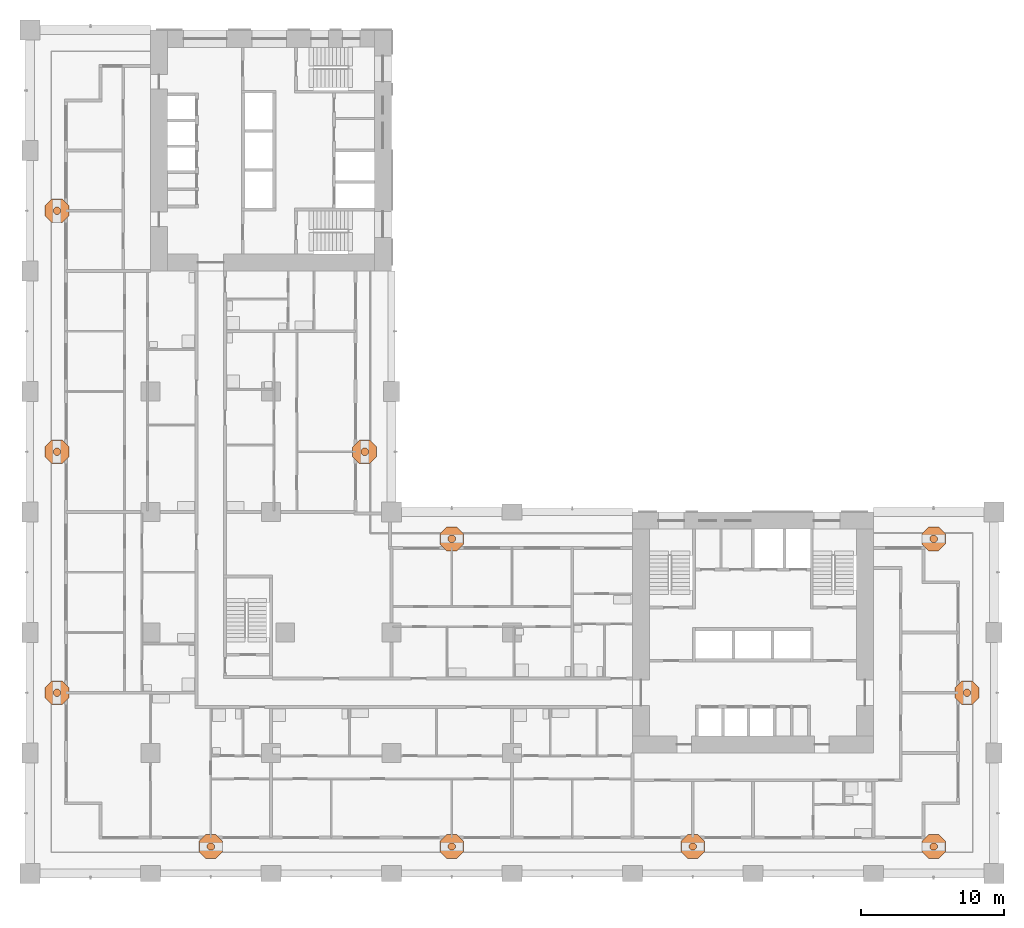
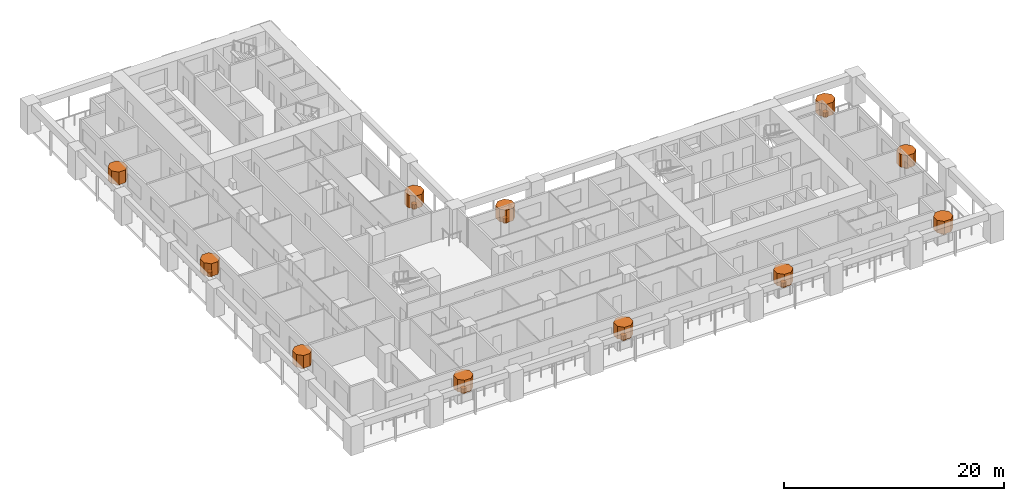
# One storey, part 20 of 20: 22 geographic elements.
"""IFC4 building model written with IfcOpenShell, lengths in metres."""

from ifc_helpers import new_model, si_unit, direction, frame, origin, place, context, subcontext, project, spatial, polyline, outline, extrude, material, element, save


model = new_model("IFC4")

# Units and contexts
model_context = context("Model", 3, precision=1e-05, world=origin(), true_north=direction((0.0, 1.0)))
body_context = subcontext(model_context, "Body", "Model", "MODEL_VIEW")
ifc_project = project(units=[si_unit("LENGTHUNIT", "METRE"), si_unit("AREAUNIT", "SQUARE_METRE"), si_unit("VOLUMEUNIT", "CUBIC_METRE"), si_unit("PLANEANGLEUNIT", "RADIAN"), si_unit("MASSUNIT", "GRAM", prefix="KILO")], contexts=[model_context])

# Site, building, storey
site_placement = place(None, origin())
site = spatial("IfcSite", under=ifc_project, at=site_placement, CompositionType="ELEMENT")
building_placement = place(site_placement, origin())
building = spatial("IfcBuilding", under=site, at=building_placement, Name="Vermilion Gate Residences", CompositionType="ELEMENT")
storey_placement = place(building_placement, frame((0.0, 0.0, 39.199951171875)))
storey = spatial("IfcBuildingStorey", under=building, at=storey_placement, Name="L08", CompositionType="ELEMENT", Elevation=39.199951171875)

# Geographic elements
ifc_material = material(Name="Foliage")
geographic_element_1_placement = place(storey_placement, frame((0.0, 0.0, 0.900146484375)))
element("IfcGeographicElement", 1, at=geographic_element_1_placement, inside=storey, material=ifc_material, Name="Tree (maple)", ObjectType="TREE", PredefinedType="USERDEFINED", context=body_context, shape_type="SweptSolid", body=[
    extrude(outline(polyline([(12.85400390625, 1.980224609375), (12.705078125, 2.129150390625), (12.494873046875, 2.129150390625), (12.345947265625, 1.980224609375), (12.345947265625, 1.769775390625), (12.494873046875, 1.620849609375), (12.705078125, 1.620849609375), (12.85400390625, 1.769775390625), (12.85400390625, 1.980224609375)])), origin(), (0.0, 0.0, 1.0), 0.52001953125),
])
geographic_element_2_placement = place(storey_placement, frame((0.0, 0.0, 1.420166015625)))
element("IfcGeographicElement", 2, at=geographic_element_2_placement, inside=storey, material=ifc_material, Name="Tree crown (maple)", ObjectType="TREE", PredefinedType="USERDEFINED", context=body_context, shape_type="SweptSolid", body=[
    extrude(outline(polyline([(13.431396484375, 2.219482421875), (12.9443359375, 2.70654296875), (12.255615234375, 2.70654296875), (11.7685546875, 2.219482421875), (11.7685546875, 1.530517578125), (12.255615234375, 1.04345703125), (12.9443359375, 1.04345703125), (13.431396484375, 1.530517578125), (13.431396484375, 2.219482421875)])), origin(), (0.0, 0.0, 1.0), 1.39990234375),
])
geographic_element_3_placement = place(storey_placement, frame((0.0, 0.0, 0.900146484375)))
element("IfcGeographicElement", 3, at=geographic_element_3_placement, inside=storey, material=ifc_material, Name="Tree (black pine)", ObjectType="TREE", PredefinedType="USERDEFINED", context=body_context, shape_type="SweptSolid", body=[
    extrude(outline(polyline([(29.654052734375, 1.980224609375), (29.505126953125, 2.129150390625), (29.294921875, 2.129150390625), (29.14599609375, 1.980224609375), (29.14599609375, 1.769775390625), (29.294921875, 1.620849609375), (29.505126953125, 1.620849609375), (29.654052734375, 1.769775390625), (29.654052734375, 1.980224609375)])), origin(), (0.0, 0.0, 1.0), 0.52001953125),
])
geographic_element_4_placement = place(storey_placement, frame((0.0, 0.0, 1.420166015625)))
element("IfcGeographicElement", 4, at=geographic_element_4_placement, inside=storey, material=ifc_material, Name="Tree crown (black pine)", ObjectType="TREE", PredefinedType="USERDEFINED", context=body_context, shape_type="SweptSolid", body=[
    extrude(outline(polyline([(30.2314453125, 2.219482421875), (29.744384765625, 2.70654296875), (29.0556640625, 2.70654296875), (28.568603515625, 2.219482421875), (28.568603515625, 1.530517578125), (29.0556640625, 1.04345703125), (29.744384765625, 1.04345703125), (30.2314453125, 1.530517578125), (30.2314453125, 2.219482421875)])), origin(), (0.0, 0.0, 1.0), 1.39990234375),
])
geographic_element_5_placement = place(storey_placement, frame((0.0, 0.0, 0.900146484375)))
element("IfcGeographicElement", 5, at=geographic_element_5_placement, inside=storey, material=ifc_material, Name="Tree (maple)", ObjectType="TREE", PredefinedType="USERDEFINED", context=body_context, shape_type="SweptSolid", body=[
    extrude(outline(polyline([(46.4541015625, 1.980224609375), (46.30517578125, 2.129150390625), (46.0947265625, 2.129150390625), (45.94580078125, 1.980224609375), (45.94580078125, 1.769775390625), (46.0947265625, 1.620849609375), (46.30517578125, 1.620849609375), (46.4541015625, 1.769775390625), (46.4541015625, 1.980224609375)])), origin(), (0.0, 0.0, 1.0), 0.52001953125),
])
geographic_element_6_placement = place(storey_placement, frame((0.0, 0.0, 1.420166015625)))
element("IfcGeographicElement", 6, at=geographic_element_6_placement, inside=storey, material=ifc_material, Name="Tree crown (maple)", ObjectType="TREE", PredefinedType="USERDEFINED", context=body_context, shape_type="SweptSolid", body=[
    extrude(outline(polyline([(47.031494140625, 2.219482421875), (46.54443359375, 2.70654296875), (45.855712890625, 2.70654296875), (45.368408203125, 2.219482421875), (45.368408203125, 1.530517578125), (45.855712890625, 1.04345703125), (46.54443359375, 1.04345703125), (47.031494140625, 1.530517578125), (47.031494140625, 2.219482421875)])), origin(), (0.0, 0.0, 1.0), 1.39990234375),
])
geographic_element_7_placement = place(storey_placement, frame((0.0, 0.0, 0.900146484375)))
element("IfcGeographicElement", 7, at=geographic_element_7_placement, inside=storey, material=ifc_material, Name="Tree (black pine)", ObjectType="TREE", PredefinedType="USERDEFINED", context=body_context, shape_type="SweptSolid", body=[
    extrude(outline(polyline([(63.254150390625, 1.980224609375), (63.105224609375, 2.129150390625), (62.894775390625, 2.129150390625), (62.745849609375, 1.980224609375), (62.745849609375, 1.769775390625), (62.894775390625, 1.620849609375), (63.105224609375, 1.620849609375), (63.254150390625, 1.769775390625), (63.254150390625, 1.980224609375)])), origin(), (0.0, 0.0, 1.0), 0.52001953125),
])
geographic_element_8_placement = place(storey_placement, frame((0.0, 0.0, 1.420166015625)))
element("IfcGeographicElement", 8, at=geographic_element_8_placement, inside=storey, material=ifc_material, Name="Tree crown (black pine)", ObjectType="TREE", PredefinedType="USERDEFINED", context=body_context, shape_type="SweptSolid", body=[
    extrude(outline(polyline([(63.83154296875, 2.219482421875), (63.344482421875, 2.70654296875), (62.655517578125, 2.70654296875), (62.16845703125, 2.219482421875), (62.16845703125, 1.530517578125), (62.655517578125, 1.04345703125), (63.344482421875, 1.04345703125), (63.83154296875, 1.530517578125), (63.83154296875, 2.219482421875)])), origin(), (0.0, 0.0, 1.0), 1.39990234375),
])
geographic_element_9_placement = place(storey_placement, frame((0.0, 0.0, 0.900146484375)))
element("IfcGeographicElement", 9, at=geographic_element_9_placement, inside=storey, material=ifc_material, Name="Tree (maple)", ObjectType="TREE", PredefinedType="USERDEFINED", context=body_context, shape_type="SweptSolid", body=[
    extrude(outline(polyline([(65.5791015625, 12.705078125), (65.43017578125, 12.85400390625), (65.2197265625, 12.85400390625), (65.07080078125, 12.705078125), (65.07080078125, 12.494873046875), (65.2197265625, 12.345947265625), (65.43017578125, 12.345947265625), (65.5791015625, 12.494873046875), (65.5791015625, 12.705078125)])), origin(), (0.0, 0.0, 1.0), 0.52001953125),
])
geographic_element_10_placement = place(storey_placement, frame((0.0, 0.0, 1.420166015625)))
element("IfcGeographicElement", 10, at=geographic_element_10_placement, inside=storey, material=ifc_material, Name="Tree crown (maple)", ObjectType="TREE", PredefinedType="USERDEFINED", context=body_context, shape_type="SweptSolid", body=[
    extrude(outline(polyline([(66.156494140625, 12.9443359375), (65.66943359375, 13.431396484375), (64.980712890625, 13.431396484375), (64.493408203125, 12.9443359375), (64.493408203125, 12.255615234375), (64.980712890625, 11.7685546875), (65.66943359375, 11.7685546875), (66.156494140625, 12.255615234375), (66.156494140625, 12.9443359375)])), origin(), (0.0, 0.0, 1.0), 1.39990234375),
])
geographic_element_11_placement = place(storey_placement, frame((0.0, 0.0, 0.900146484375)))
element("IfcGeographicElement", 11, at=geographic_element_11_placement, inside=storey, material=ifc_material, Name="Tree (black pine)", ObjectType="TREE", PredefinedType="USERDEFINED", context=body_context, shape_type="SweptSolid", body=[
    extrude(outline(polyline([(29.654052734375, 23.43017578125), (29.505126953125, 23.5791015625), (29.294921875, 23.5791015625), (29.14599609375, 23.43017578125), (29.14599609375, 23.2197265625), (29.294921875, 23.07080078125), (29.505126953125, 23.07080078125), (29.654052734375, 23.2197265625), (29.654052734375, 23.43017578125)])), origin(), (0.0, 0.0, 1.0), 0.52001953125),
])
geographic_element_12_placement = place(storey_placement, frame((0.0, 0.0, 1.420166015625)))
element("IfcGeographicElement", 12, at=geographic_element_12_placement, inside=storey, material=ifc_material, Name="Tree crown (black pine)", ObjectType="TREE", PredefinedType="USERDEFINED", context=body_context, shape_type="SweptSolid", body=[
    extrude(outline(polyline([(30.2314453125, 23.66943359375), (29.744384765625, 24.156494140625), (29.0556640625, 24.156494140625), (28.568603515625, 23.66943359375), (28.568603515625, 22.980712890625), (29.0556640625, 22.493408203125), (29.744384765625, 22.493408203125), (30.2314453125, 22.980712890625), (30.2314453125, 23.66943359375)])), origin(), (0.0, 0.0, 1.0), 1.39990234375),
])
geographic_element_13_placement = place(storey_placement, frame((0.0, 0.0, 0.900146484375)))
element("IfcGeographicElement", 13, at=geographic_element_13_placement, inside=storey, material=ifc_material, Name="Tree (black pine)", ObjectType="TREE", PredefinedType="USERDEFINED", context=body_context, shape_type="SweptSolid", body=[
    extrude(outline(polyline([(63.254150390625, 23.43017578125), (63.105224609375, 23.5791015625), (62.894775390625, 23.5791015625), (62.745849609375, 23.43017578125), (62.745849609375, 23.2197265625), (62.894775390625, 23.07080078125), (63.105224609375, 23.07080078125), (63.254150390625, 23.2197265625), (63.254150390625, 23.43017578125)])), origin(), (0.0, 0.0, 1.0), 0.52001953125),
])
geographic_element_14_placement = place(storey_placement, frame((0.0, 0.0, 1.420166015625)))
element("IfcGeographicElement", 14, at=geographic_element_14_placement, inside=storey, material=ifc_material, Name="Tree crown (black pine)", ObjectType="TREE", PredefinedType="USERDEFINED", context=body_context, shape_type="SweptSolid", body=[
    extrude(outline(polyline([(63.83154296875, 23.66943359375), (63.344482421875, 24.156494140625), (62.655517578125, 24.156494140625), (62.16845703125, 23.66943359375), (62.16845703125, 22.980712890625), (62.655517578125, 22.493408203125), (63.344482421875, 22.493408203125), (63.83154296875, 22.980712890625), (63.83154296875, 23.66943359375)])), origin(), (0.0, 0.0, 1.0), 1.39990234375),
])
geographic_element_15_placement = place(storey_placement, frame((0.0, 0.0, 0.900146484375)))
element("IfcGeographicElement", 15, at=geographic_element_15_placement, inside=storey, material=ifc_material, Name="Tree (black pine)", ObjectType="TREE", PredefinedType="USERDEFINED", context=body_context, shape_type="SweptSolid", body=[
    extrude(outline(polyline([(23.5791015625, 29.505126953125), (23.43017578125, 29.654052734375), (23.2197265625, 29.654052734375), (23.07080078125, 29.505126953125), (23.07080078125, 29.294921875), (23.2197265625, 29.14599609375), (23.43017578125, 29.14599609375), (23.5791015625, 29.294921875), (23.5791015625, 29.505126953125)])), origin(), (0.0, 0.0, 1.0), 0.52001953125),
])
geographic_element_16_placement = place(storey_placement, frame((0.0, 0.0, 1.420166015625)))
element("IfcGeographicElement", 16, at=geographic_element_16_placement, inside=storey, material=ifc_material, Name="Tree crown (black pine)", ObjectType="TREE", PredefinedType="USERDEFINED", context=body_context, shape_type="SweptSolid", body=[
    extrude(outline(polyline([(24.156494140625, 29.744384765625), (23.66943359375, 30.2314453125), (22.980712890625, 30.2314453125), (22.493408203125, 29.744384765625), (22.493408203125, 29.0556640625), (22.980712890625, 28.568603515625), (23.66943359375, 28.568603515625), (24.156494140625, 29.0556640625), (24.156494140625, 29.744384765625)])), origin(), (0.0, 0.0, 1.0), 1.39990234375),
])
geographic_element_17_placement = place(storey_placement, frame((0.0, 0.0, 0.900146484375)))
element("IfcGeographicElement", 17, at=geographic_element_17_placement, inside=storey, material=ifc_material, Name="Tree (maple)", ObjectType="TREE", PredefinedType="USERDEFINED", context=body_context, shape_type="SweptSolid", body=[
    extrude(outline(polyline([(2.129150390625, 12.705078125), (1.980224609375, 12.85400390625), (1.769775390625, 12.85400390625), (1.620849609375, 12.705078125), (1.620849609375, 12.494873046875), (1.769775390625, 12.345947265625), (1.980224609375, 12.345947265625), (2.129150390625, 12.494873046875), (2.129150390625, 12.705078125)])), origin(), (0.0, 0.0, 1.0), 0.52001953125),
])
geographic_element_18_placement = place(storey_placement, frame((0.0, 0.0, 1.420166015625)))
element("IfcGeographicElement", 18, at=geographic_element_18_placement, inside=storey, material=ifc_material, Name="Tree crown (maple)", ObjectType="TREE", PredefinedType="USERDEFINED", context=body_context, shape_type="SweptSolid", body=[
    extrude(outline(polyline([(2.70654296875, 12.9443359375), (2.219482421875, 13.431396484375), (1.530517578125, 13.431396484375), (1.04345703125, 12.9443359375), (1.04345703125, 12.255615234375), (1.530517578125, 11.7685546875), (2.219482421875, 11.7685546875), (2.70654296875, 12.255615234375), (2.70654296875, 12.9443359375)])), origin(), (0.0, 0.0, 1.0), 1.39990234375),
])
geographic_element_19_placement = place(storey_placement, frame((0.0, 0.0, 0.900146484375)))
element("IfcGeographicElement", 19, at=geographic_element_19_placement, inside=storey, material=ifc_material, Name="Tree (black pine)", ObjectType="TREE", PredefinedType="USERDEFINED", context=body_context, shape_type="SweptSolid", body=[
    extrude(outline(polyline([(2.129150390625, 29.505126953125), (1.980224609375, 29.654052734375), (1.769775390625, 29.654052734375), (1.620849609375, 29.505126953125), (1.620849609375, 29.294921875), (1.769775390625, 29.14599609375), (1.980224609375, 29.14599609375), (2.129150390625, 29.294921875), (2.129150390625, 29.505126953125)])), origin(), (0.0, 0.0, 1.0), 0.52001953125),
])
geographic_element_20_placement = place(storey_placement, frame((0.0, 0.0, 1.420166015625)))
element("IfcGeographicElement", 20, at=geographic_element_20_placement, inside=storey, material=ifc_material, Name="Tree crown (black pine)", ObjectType="TREE", PredefinedType="USERDEFINED", context=body_context, shape_type="SweptSolid", body=[
    extrude(outline(polyline([(2.70654296875, 29.744384765625), (2.219482421875, 30.2314453125), (1.530517578125, 30.2314453125), (1.04345703125, 29.744384765625), (1.04345703125, 29.0556640625), (1.530517578125, 28.568603515625), (2.219482421875, 28.568603515625), (2.70654296875, 29.0556640625), (2.70654296875, 29.744384765625)])), origin(), (0.0, 0.0, 1.0), 1.39990234375),
])
geographic_element_21_placement = place(storey_placement, frame((0.0, 0.0, 0.900146484375)))
element("IfcGeographicElement", 21, at=geographic_element_21_placement, inside=storey, material=ifc_material, Name="Tree (maple)", ObjectType="TREE", PredefinedType="USERDEFINED", context=body_context, shape_type="SweptSolid", body=[
    extrude(outline(polyline([(2.129150390625, 46.30517578125), (1.980224609375, 46.4541015625), (1.769775390625, 46.4541015625), (1.620849609375, 46.30517578125), (1.620849609375, 46.0947265625), (1.769775390625, 45.94580078125), (1.980224609375, 45.94580078125), (2.129150390625, 46.0947265625), (2.129150390625, 46.30517578125)])), origin(), (0.0, 0.0, 1.0), 0.52001953125),
])
geographic_element_22_placement = place(storey_placement, frame((0.0, 0.0, 1.420166015625)))
element("IfcGeographicElement", 22, at=geographic_element_22_placement, inside=storey, material=ifc_material, Name="Tree crown (maple)", ObjectType="TREE", PredefinedType="USERDEFINED", context=body_context, shape_type="SweptSolid", body=[
    extrude(outline(polyline([(2.70654296875, 46.54443359375), (2.219482421875, 47.031494140625), (1.530517578125, 47.031494140625), (1.04345703125, 46.54443359375), (1.04345703125, 45.855712890625), (1.530517578125, 45.368408203125), (2.219482421875, 45.368408203125), (2.70654296875, 45.855712890625), (2.70654296875, 46.54443359375)])), origin(), (0.0, 0.0, 1.0), 1.39990234375),
])

save(model, "model.ifc")
